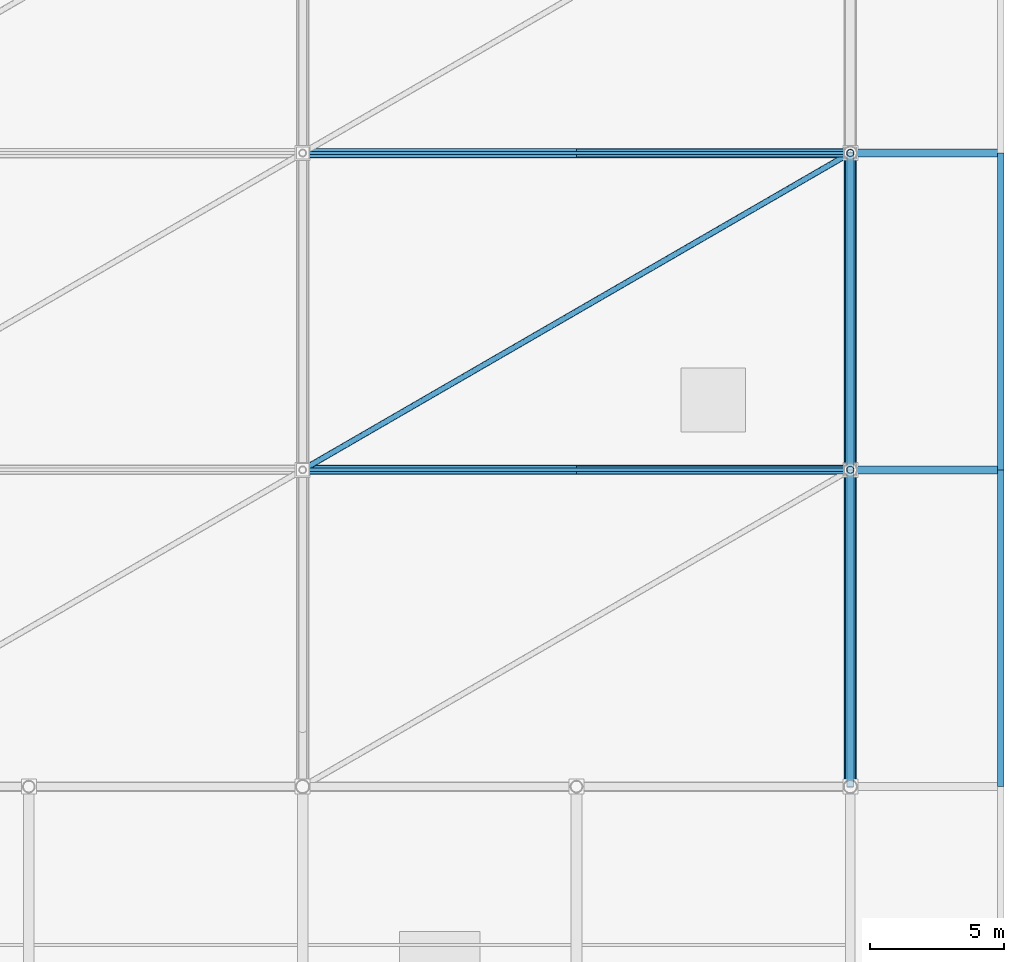
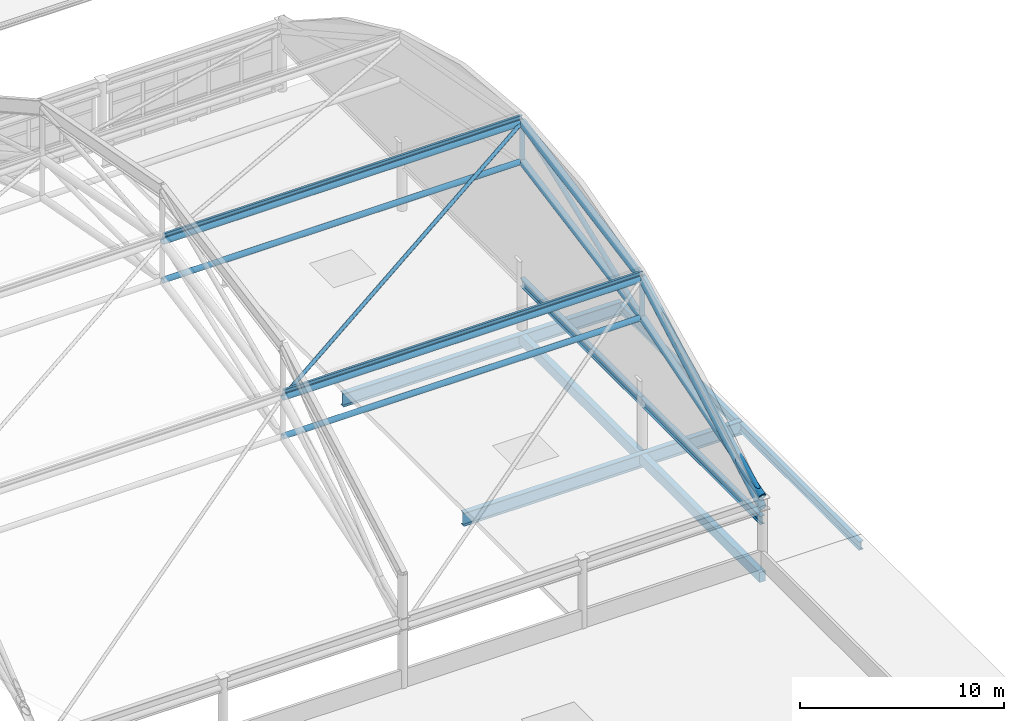
# One storey, part 58 of 135: 15 members, 8 beams.
"""IFC4 building model written with IfcOpenShell, lengths in metres."""

from ifc_helpers import new_model, si_unit, direction, frame, origin, origin_2d, place, context, subcontext, project, spatial, rectangle, hollow_circle, i_section, extrude, material, material_profile, profile_set, type_object, element, save


model = new_model("IFC4")

# Units and contexts
model_context = context("Model", 3, precision=1e-05, world=origin(), true_north=direction((0.0, 1.0)))
body_context = subcontext(model_context, "Body", "Model", "MODEL_VIEW")
ifc_project = project(units=[si_unit("LENGTHUNIT", "METRE"), si_unit("AREAUNIT", "SQUARE_METRE"), si_unit("VOLUMEUNIT", "CUBIC_METRE"), si_unit("PLANEANGLEUNIT", "RADIAN"), si_unit("MASSUNIT", "GRAM", prefix="KILO")], contexts=[model_context])

# Site, building, storey
site_placement = place(None, origin())
site = spatial("IfcSite", under=ifc_project, at=site_placement, CompositionType="ELEMENT")
building_placement = place(site_placement, origin())
building = spatial("IfcBuilding", under=site, at=building_placement, Name="Brelvane Convention Centre", CompositionType="ELEMENT")
storey_placement = place(building_placement, frame((0.0, 0.0, 15.0)))
storey = spatial("IfcBuildingStorey", under=building, at=storey_placement, Name="L03", CompositionType="ELEMENT", Elevation=15.0)

# Beams
ifc_material_1 = material(Name="Concrete M40", Category="concrete")
ifc_material_profile_1 = material_profile(ifc_material_1, rectangle(XDim=0.35009765625, YDim=0.60009765625, at=origin_2d()), Name="RC 350x600")
ifc_profile_set_1 = profile_set([ifc_material_profile_1], Name="Concrete M40")
beam_type_1 = type_object("IfcBeamType", Name="RC Spandrel SP-RC2 (RC 350x600)", PredefinedType="SPANDREL", material=ifc_profile_set_1)
beam_1_placement = place(storey_placement, frame((224.39990234375, 40.60009765625, -0.60009765625), z_axis=(0.0, 1.0, 0.0), x_axis=(-1.0, 0.0, 0.0)))
element("IfcBeam", 1, at=beam_1_placement, inside=storey, type_object=beam_type_1, Name="L03 Girder 23/E-F", PredefinedType="SPANDREL", context=body_context, shape_type="SweptSolid", body=[
    extrude(rectangle(XDim=0.35009765625, YDim=0.60009765625, at=origin_2d()), origin(), (0.0, 0.0, 1.0), 11.7998046875),
])
beam_2_placement = place(storey_placement, frame((224.39990234375, 52.39990234375, -0.60009765625), z_axis=(0.0, 1.0, 0.0), x_axis=(-1.0, 0.0, 0.0)))
element("IfcBeam", 2, at=beam_2_placement, inside=storey, type_object=beam_type_1, Name="L03 Girder 23/F-G", PredefinedType="SPANDREL", context=body_context, shape_type="SweptSolid", body=[
    extrude(rectangle(XDim=0.35009765625, YDim=0.60009765625, at=origin_2d()), origin(), (0.0, 0.0, 1.0), 11.800048828125),
])
ifc_material_2 = material(Name="Steel E450 (450 MPa)", Category="steel")
ifc_material_profile_2 = material_profile(ifc_material_2, i_section(OverallWidth=0.300048828125, OverallDepth=0.800048828125, WebThickness=0.015380859375, FlangeThickness=0.030029296875, FilletRadius=0.027099609375, at=origin_2d()), Name="NPB 800x300")
ifc_profile_set_2 = profile_set([ifc_material_profile_2], Name="Steel E450 (450 MPa)")
beam_type_2 = type_object("IfcBeamType", Name="Steel Beam B-ST2 (NPB 800x300)", PredefinedType="BEAM", material=ifc_profile_set_2)
for number, where, z_axis, x_axis, name in (
    (3, (214.199951171875, 52.39990234375, -0.699951171875), (1.0, 0.0, 0.0), (0.0, 1.0, 0.0), "L03 Plenary East Cantilever Girder Y52"),
    (4, (214.199951171875, 64.199951171875, -0.699951171875), (1.0, 0.0, 0.0), (0.0, 1.0, 0.0), "L03 Plenary East Cantilever Girder Y64"),
):
    element("IfcBeam", number, at=place(storey_placement, frame(where, z_axis=z_axis, x_axis=x_axis)), inside=storey, type_object=beam_type_2, Name=name, PredefinedType="BEAM", context=body_context, shape_type="SweptSolid", body=[
        extrude(i_section(OverallWidth=0.300048828125, OverallDepth=0.800048828125, WebThickness=0.015380859375, FlangeThickness=0.030029296875, FilletRadius=0.027099609375, at=origin_2d()), origin(), (0.0, 0.0, 1.0), 15.800048828125),
    ])

# Members
ifc_material_3 = material(Name="Steel E350 (350 MPa)", Category="steel")
ifc_material_profile_3 = material_profile(ifc_material_3, hollow_circle(Radius=0.136474609375, WallThickness=0.012451171875, at=origin_2d()), Name="CHS 273.0x12.5")
ifc_profile_set_3 = profile_set([ifc_material_profile_3], Name="Steel E350 (350 MPa)")
member_type_1 = type_object("IfcMemberType", Name="Steel Brace SF-DG1 (CHS 273.0x12.5)", PredefinedType="BRACE", material=ifc_profile_set_3)
member_1_placement = place(storey_placement, frame((224.39990234375, 40.60009765625, 4.199951171875), z_axis=(0.0, 0.893211567364, 0.449636626541), x_axis=(-1.0, 0.0, 0.0)))
element("IfcMember", 5, at=member_1_placement, inside=storey, type_object=member_type_1, Name="SF_PLEN Space-Frame Web Diagonal D4.1", PredefinedType="BRACE", context=body_context, shape_type="SweptSolid", body=[
    extrude(hollow_circle(Radius=0.136474609375, WallThickness=0.012451171875, at=origin_2d()), origin(), (0.0, 0.0, 1.0), 13.21044921875),
])
member_2_placement = place(storey_placement, frame((224.39990234375, 52.39990234375, 7.800048828125), z_axis=(0.0, 0.933304292812, 0.359086475682), x_axis=(-1.0, 0.0, 0.0)))
element("IfcMember", 6, at=member_2_placement, inside=storey, type_object=member_type_1, Name="SF_PLEN Space-Frame Web Diagonal D4.2", PredefinedType="BRACE", context=body_context, shape_type="SweptSolid", body=[
    extrude(hollow_circle(Radius=0.136474609375, WallThickness=0.012451171875, at=origin_2d()), origin(), (0.0, 0.0, 1.0), 12.643310546875),
])
ifc_material_4 = material(Name="Steel E350 (350 MPa)", Category="steel")
ifc_material_profile_4 = material_profile(ifc_material_4, hollow_circle(Radius=0.109619140625, WallThickness=0.010009765625, at=origin_2d()), Name="CHS 219.1x10.0")
ifc_profile_set_4 = profile_set([ifc_material_profile_4], Name="Steel E350 (350 MPa)")
member_type_2 = type_object("IfcMemberType", Name="Steel Brace SF-DG2 (CHS 219.1x10.0)", PredefinedType="BRACE", material=ifc_profile_set_4)
member_3_placement = place(storey_placement, frame((204.0, 52.39990234375, 10.139892578125), z_axis=(0.861870064084, 0.498537133576, 0.092955468268), x_axis=(-0.500705052683, 0.865617958581, 0.0)))
element("IfcMember", 7, at=member_3_placement, inside=storey, type_object=member_type_2, Name="SF_PLEN Roof Diaphragm Brace PB3.2", PredefinedType="BRACE", context=body_context, shape_type="SweptSolid", body=[
    extrude(hollow_circle(Radius=0.109619140625, WallThickness=0.010009765625, at=origin_2d()), origin(), (0.0, 0.0, 1.0), 23.66943359375),
])
ifc_material_5 = material(Name="Steel E450 (450 MPa)", Category="steel")
ifc_material_profile_5 = material_profile(ifc_material_5, hollow_circle(Radius=0.203125, WallThickness=0.01611328125, at=origin_2d()), Name="CHS 406.4x16.0")
ifc_profile_set_5 = profile_set([ifc_material_profile_5], Name="Steel E450 (450 MPa)")
member_type_3 = type_object("IfcMemberType", Name="Steel Chord SF-BC1 (CHS 406.4x16.0)", PredefinedType="CHORD", material=ifc_profile_set_5)
member_4_placement = place(storey_placement, frame((224.39990234375, 40.60009765625, 4.199951171875), z_axis=(0.0, 0.956473772599, 0.291818303624), x_axis=(-1.0, 0.0, 0.0)))
element("IfcMember", 8, at=member_4_placement, inside=storey, type_object=member_type_3, Name="SF_PLEN Space-Frame Bottom Chord B4.1", PredefinedType="CHORD", context=body_context, shape_type="SweptSolid", body=[
    extrude(hollow_circle(Radius=0.203125, WallThickness=0.01611328125, at=origin_2d()), origin(), (0.0, 0.0, 1.0), 12.336669921875),
])
member_5_placement = place(storey_placement, frame((224.39990234375, 52.39990234375, 7.800048828125), z_axis=(0.0, 0.983061168522, 0.183277764458), x_axis=(-1.0, 0.0, 0.0)))
element("IfcMember", 9, at=member_5_placement, inside=storey, type_object=member_type_3, Name="SF_PLEN Space-Frame Bottom Chord B4.2", PredefinedType="CHORD", context=body_context, shape_type="SweptSolid", body=[
    extrude(hollow_circle(Radius=0.203125, WallThickness=0.01611328125, at=origin_2d()), origin(), (0.0, 0.0, 1.0), 12.00341796875),
])
ifc_material_6 = material(Name="Steel E350 (350 MPa)", Category="steel")
ifc_material_profile_6 = material_profile(ifc_material_6, hollow_circle(Radius=0.161865234375, WallThickness=0.012451171875, at=origin_2d()), Name="CHS 323.9x12.5")
ifc_profile_set_6 = profile_set([ifc_material_profile_6], Name="Steel E350 (350 MPa)")
member_type_4 = type_object("IfcMemberType", Name="Steel Chord SF-BC2 (CHS 323.9x12.5)", PredefinedType="CHORD", material=ifc_profile_set_6)
for number, where, z_axis, x_axis, name in (
    (10, (204.0, 52.39990234375, 7.800048828125), (1.0, 0.0, 0.0), (0.0, 1.0, 0.0), "SF_PLEN Longitudinal Bottom Chord LB3.2"),
    (11, (204.0, 64.199951171875, 10.0), (1.0, 0.0, 0.0), (0.0, 1.0, 0.0), "SF_PLEN Longitudinal Bottom Chord LB3.3"),
):
    element("IfcMember", number, at=place(storey_placement, frame(where, z_axis=z_axis, x_axis=x_axis)), inside=storey, type_object=member_type_4, Name=name, PredefinedType="CHORD", context=body_context, shape_type="SweptSolid", body=[
        extrude(hollow_circle(Radius=0.161865234375, WallThickness=0.012451171875, at=origin_2d()), origin(), (0.0, 0.0, 1.0), 20.39990234375),
    ])
ifc_material_7 = material(Name="Steel E450 (450 MPa)", Category="steel")
ifc_material_profile_7 = material_profile(ifc_material_7, hollow_circle(Radius=0.228515625, WallThickness=0.02001953125, at=origin_2d()), Name="CHS 457.0x20.0")
ifc_profile_set_7 = profile_set([ifc_material_profile_7], Name="Steel E450 (450 MPa)")
member_type_5 = type_object("IfcMemberType", Name="Steel Chord SF-TC1 (CHS 457.0x20.0)", PredefinedType="CHORD", material=ifc_profile_set_7)
member_6_placement = place(storey_placement, frame((224.39990234375, 40.60009765625, 3.5400390625), z_axis=(0.0, 0.872759320666, 0.488150763791), x_axis=(-1.0, 0.0, 0.0)))
element("IfcMember", 12, at=member_6_placement, inside=storey, type_object=member_type_5, Name="SF_PLEN Space-Frame Top Chord T4.1", PredefinedType="CHORD", context=body_context, shape_type="SweptSolid", body=[
    extrude(hollow_circle(Radius=0.228515625, WallThickness=0.02001953125, at=origin_2d()), origin(), (0.0, 0.0, 1.0), 13.52001953125),
])
member_7_placement = place(storey_placement, frame((224.39990234375, 52.39990234375, 10.139892578125), z_axis=(0.0, 0.983057503734, 0.183297420472), x_axis=(-1.0, 0.0, 0.0)))
element("IfcMember", 13, at=member_7_placement, inside=storey, type_object=member_type_5, Name="SF_PLEN Space-Frame Top Chord T4.2", PredefinedType="CHORD", context=body_context, shape_type="SweptSolid", body=[
    extrude(hollow_circle(Radius=0.228515625, WallThickness=0.02001953125, at=origin_2d()), origin(), (0.0, 0.0, 1.0), 12.00341796875),
])
ifc_material_8 = material(Name="Steel E450 (450 MPa)", Category="steel")
ifc_material_profile_8 = material_profile(ifc_material_8, hollow_circle(Radius=0.177734375, WallThickness=0.01611328125, at=origin_2d()), Name="CHS 355.6x16.0")
ifc_profile_set_8 = profile_set([ifc_material_profile_8], Name="Steel E450 (450 MPa)")
member_type_6 = type_object("IfcMemberType", Name="Steel Chord SF-TC2 (CHS 355.6x16.0)", PredefinedType="CHORD", material=ifc_profile_set_8)
for number, where, z_axis, x_axis, name in (
    (14, (204.0, 52.39990234375, 10.139892578125), (1.0, 0.0, 0.0), (0.0, 1.0, 0.0), "SF_PLEN Longitudinal Top Chord LT3.2"),
    (15, (204.0, 64.199951171875, 12.340087890625), (1.0, 0.0, 0.0), (0.0, 1.0, 0.0), "SF_PLEN Longitudinal Top Chord LT3.3"),
):
    element("IfcMember", number, at=place(storey_placement, frame(where, z_axis=z_axis, x_axis=x_axis)), inside=storey, type_object=member_type_6, Name=name, PredefinedType="CHORD", context=body_context, shape_type="SweptSolid", body=[
        extrude(hollow_circle(Radius=0.177734375, WallThickness=0.01611328125, at=origin_2d()), origin(), (0.0, 0.0, 1.0), 20.39990234375),
    ])
ifc_material_9 = material(Name="Steel E350 (350 MPa)", Category="steel")
ifc_material_profile_9 = material_profile(ifc_material_9, i_section(OverallWidth=0.125, OverallDepth=0.25, WebThickness=0.0068359375, FlangeThickness=0.012451171875, FilletRadius=0.012939453125, at=origin_2d()), Name="ISMB 250")
ifc_profile_set_9 = profile_set([ifc_material_profile_9], Name="Steel E350 (350 MPa)")
member_type_7 = type_object("IfcMemberType", Name="Steel Purlin PR-ST1 (ISMB 250)", PredefinedType="PURLIN", material=ifc_profile_set_9)
for number, where, z_axis, x_axis, name in (
    (16, (204.0, 52.39990234375, 10.47509765625), (1.0, 0.0, 0.0), (0.0, 1.0, 0.0), "SF_PLEN Roof Purlin P3.2"),
    (17, (204.0, 64.199951171875, 12.675048828125), (1.0, 0.0, 0.0), (0.0, 1.0, 0.0), "SF_PLEN Roof Purlin P3.3"),
):
    element("IfcMember", number, at=place(storey_placement, frame(where, z_axis=z_axis, x_axis=x_axis)), inside=storey, type_object=member_type_7, Name=name, PredefinedType="PURLIN", context=body_context, shape_type="SweptSolid", body=[
        extrude(i_section(OverallWidth=0.125, OverallDepth=0.25, WebThickness=0.0068359375, FlangeThickness=0.012451171875, FilletRadius=0.012939453125, at=origin_2d()), origin(), (0.0, 0.0, 1.0), 20.39990234375),
    ])

# Beams
ifc_material_10 = material(Name="Steel E350 (350 MPa)", Category="steel")
ifc_material_profile_10 = material_profile(ifc_material_10, i_section(OverallWidth=0.25, OverallDepth=0.5, WebThickness=0.010009765625, FlangeThickness=0.0146484375, FilletRadius=0.01611328125, at=origin_2d()), Name="ISWB 500")
ifc_profile_set_10 = profile_set([ifc_material_profile_10], Name="Steel E350 (350 MPa)")
beam_type_3 = type_object("IfcBeamType", Name="Steel Spandrel SP-ST1 (ISWB 500)", PredefinedType="SPANDREL", material=ifc_profile_set_10)
beam_3_placement = place(storey_placement, frame((230.0, 40.60009765625, -0.699951171875), z_axis=(0.0, 1.0, 0.0), x_axis=(-1.0, 0.0, 0.0)))
element("IfcBeam", 18, at=beam_3_placement, inside=storey, type_object=beam_type_3, Name="L03 Plenary Overhang Tip Spandrel 3", PredefinedType="SPANDREL", context=body_context, shape_type="SweptSolid", body=[
    extrude(i_section(OverallWidth=0.25, OverallDepth=0.5, WebThickness=0.010009765625, FlangeThickness=0.0146484375, FilletRadius=0.01611328125, at=origin_2d()), origin(), (0.0, 0.0, 1.0), 11.7998046875),
])
beam_4_placement = place(storey_placement, frame((230.0, 52.39990234375, -0.699951171875), z_axis=(0.0, 1.0, 0.0), x_axis=(-1.0, 0.0, 0.0)))
element("IfcBeam", 19, at=beam_4_placement, inside=storey, type_object=beam_type_3, Name="L03 Plenary Overhang Tip Spandrel 4", PredefinedType="SPANDREL", context=body_context, shape_type="SweptSolid", body=[
    extrude(i_section(OverallWidth=0.25, OverallDepth=0.5, WebThickness=0.010009765625, FlangeThickness=0.0146484375, FilletRadius=0.01611328125, at=origin_2d()), origin(), (0.0, 0.0, 1.0), 11.800048828125),
])
beam_5_placement = place(storey_placement, frame((224.39990234375, 40.60009765625, 2.800048828125), z_axis=(0.0, 1.0, 0.0), x_axis=(-1.0, 0.0, 0.0)))
element("IfcBeam", 20, at=beam_5_placement, inside=storey, type_object=beam_type_3, Name="Plenary Gable Tie Girder E-1", PredefinedType="SPANDREL", context=body_context, shape_type="SweptSolid", body=[
    extrude(i_section(OverallWidth=0.25, OverallDepth=0.5, WebThickness=0.010009765625, FlangeThickness=0.0146484375, FilletRadius=0.01611328125, at=origin_2d()), origin(), (0.0, 0.0, 1.0), 11.7998046875),
])
beam_6_placement = place(storey_placement, frame((224.39990234375, 52.39990234375, 2.800048828125), z_axis=(0.0, 1.0, 0.0), x_axis=(-1.0, 0.0, 0.0)))
element("IfcBeam", 21, at=beam_6_placement, inside=storey, type_object=beam_type_3, Name="Plenary Gable Tie Girder E-2", PredefinedType="SPANDREL", context=body_context, shape_type="SweptSolid", body=[
    extrude(i_section(OverallWidth=0.25, OverallDepth=0.5, WebThickness=0.010009765625, FlangeThickness=0.0146484375, FilletRadius=0.01611328125, at=origin_2d()), origin(), (0.0, 0.0, 1.0), 11.800048828125),
])

# Members
ifc_material_11 = material(Name="Steel E350 (350 MPa)", Category="steel")
ifc_material_profile_11 = material_profile(ifc_material_11, hollow_circle(Radius=0.136474609375, WallThickness=0.012451171875, at=origin_2d()), Name="CHS 273.0x12.5")
ifc_profile_set_11 = profile_set([ifc_material_profile_11], Name="Steel E350 (350 MPa)")
member_type_8 = type_object("IfcMemberType", Name="Steel Strut SF-VT1 (CHS 273.0x12.5)", PredefinedType="STRUT", material=ifc_profile_set_11)
member_8_placement = place(storey_placement, frame((224.39990234375, 52.39990234375, 7.800048828125), z_axis=(0.0, 0.0, 1.0), x_axis=(1.0, 0.0, 0.0)))
element("IfcMember", 22, at=member_8_placement, inside=storey, type_object=member_type_8, Name="SF_PLEN Space-Frame Post V4.1", PredefinedType="STRUT", context=body_context, shape_type="SweptSolid", body=[
    extrude(hollow_circle(Radius=0.136474609375, WallThickness=0.012451171875, at=origin_2d()), origin(), (0.0, 0.0, 1.0), 2.33984375),
])
member_9_placement = place(storey_placement, frame((224.39990234375, 64.199951171875, 10.0), z_axis=(0.0, 0.0, 1.0), x_axis=(1.0, 0.0, 0.0)))
element("IfcMember", 23, at=member_9_placement, inside=storey, type_object=member_type_8, Name="SF_PLEN Space-Frame Post V4.2", PredefinedType="STRUT", context=body_context, shape_type="SweptSolid", body=[
    extrude(hollow_circle(Radius=0.136474609375, WallThickness=0.012451171875, at=origin_2d()), origin(), (0.0, 0.0, 1.0), 2.340087890625),
])

save(model, "model.ifc")
